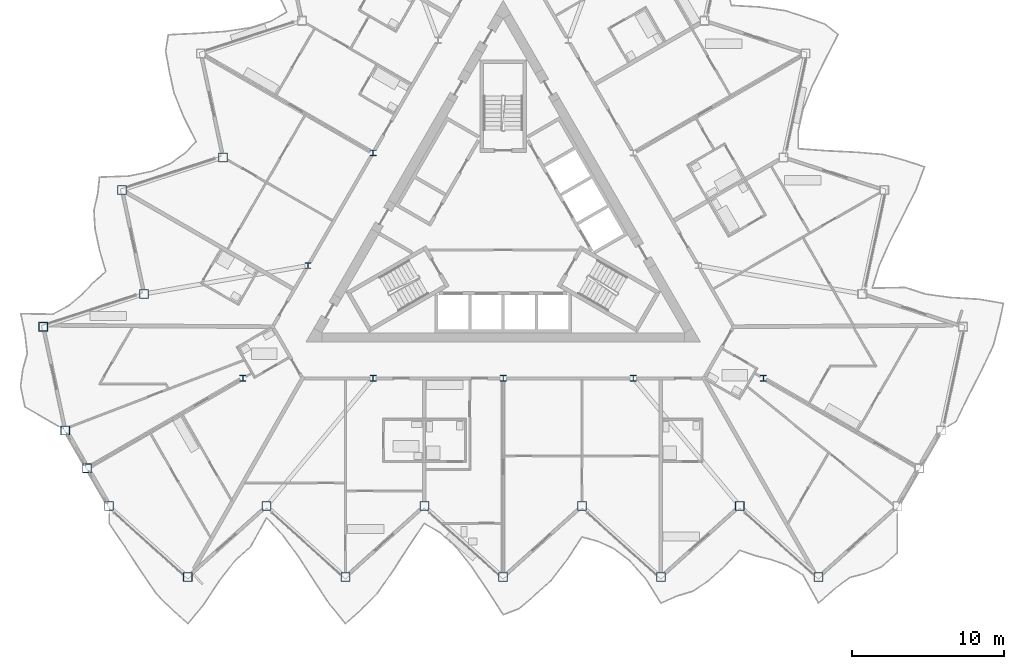
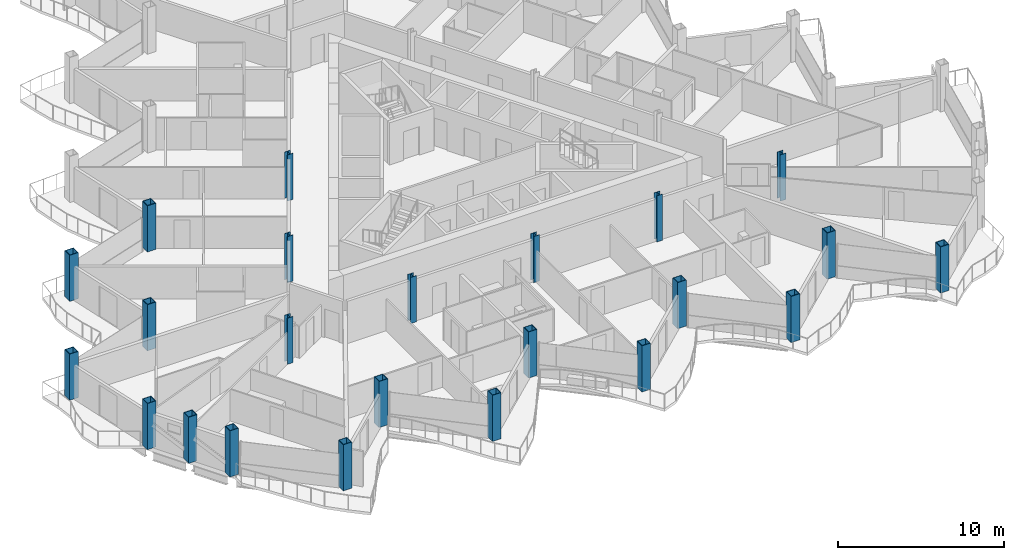
# One storey, part 1 of 26: 23 columns.
"""IFC4 building model written with IfcOpenShell, lengths in metres."""

from ifc_helpers import new_model, si_unit, direction, frame, origin, origin_2d, place, context, subcontext, project, spatial, hollow_rectangle, i_section, extrude, material, material_profile, profile_set, type_object, element, save


model = new_model("IFC4")

# Units and contexts
model_context = context("Model", 3, precision=1e-05, world=origin(), true_north=direction((0.0, 1.0)))
body_context = subcontext(model_context, "Body", "Model", "MODEL_VIEW")
ifc_project = project(units=[si_unit("LENGTHUNIT", "METRE"), si_unit("AREAUNIT", "SQUARE_METRE"), si_unit("VOLUMEUNIT", "CUBIC_METRE"), si_unit("PLANEANGLEUNIT", "RADIAN"), si_unit("MASSUNIT", "GRAM", prefix="KILO")], contexts=[model_context])

# Site, building, storey
site_placement = place(None, origin())
site = spatial("IfcSite", under=ifc_project, at=site_placement, CompositionType="ELEMENT")
building_placement = place(site_placement, origin())
building = spatial("IfcBuilding", under=site, at=building_placement, Name="Cormorant Prow Tower", CompositionType="ELEMENT")
storey_placement = place(building_placement, frame((0.0, 0.0, 342.60009765625)))
storey = spatial("IfcBuildingStorey", under=building, at=storey_placement, Name="L77", CompositionType="ELEMENT", Elevation=342.60009765625)

# Columns
ifc_material_1 = material(Name="Structural steel ASTM A572 Gr 50", Category="steel")
ifc_material_profile_1 = material_profile(ifc_material_1, hollow_rectangle(XDim=0.60009765625, YDim=0.60009765625, WallThickness=0.0400390625, at=origin_2d()), Name="Box 600x600x40")
ifc_profile_set_1 = profile_set([ifc_material_profile_1], Name="Structural steel ASTM A572 Gr 50")
column_type_1 = type_object("IfcColumnType", Name="Perimeter box column 600x600x40", PredefinedType="COLUMN", material=ifc_profile_set_1)
for number, where, z_axis, x_axis, name in (
    (1, (-25.995361328125, -18.326904296875, 0.0), (0.0, 0.0, 1.0), (1.0, 0.0, 0.0), "Perimeter column C6 at S00 L77"),
    (2, (-20.79638671875, -23.008056640625, 0.0), (0.0, 0.0, 1.0), (1.0, 0.0, 0.0), "Perimeter column C6 at S01 L77"),
    (3, (-15.59716796875, -18.326904296875, 0.0), (0.0, 0.0, 1.0), (1.0, 0.0, 0.0), "Perimeter column C6 at S02 L77"),
    (4, (-10.398193359375, -23.008056640625, 0.0), (0.0, 0.0, 1.0), (1.0, 0.0, 0.0), "Perimeter column C6 at S03 L77"),
    (5, (-5.198974609375, -18.326904296875, 0.0), (0.0, 0.0, 1.0), (1.0, 0.0, 0.0), "Perimeter column C6 at S04 L77"),
    (6, (0.0, -23.008056640625, 0.0), (0.0, 0.0, 1.0), (1.0, 0.0, 0.0), "Perimeter column C6 at S05 L77"),
    (7, (5.198974609375, -18.326904296875, 0.0), (0.0, 0.0, 1.0), (1.0, 0.0, 0.0), "Perimeter column C6 at S06 L77"),
    (8, (10.398193359375, -23.008056640625, 0.0), (0.0, 0.0, 1.0), (1.0, 0.0, 0.0), "Perimeter column C6 at S07 L77"),
    (9, (15.59716796875, -18.326904296875, 0.0), (0.0, 0.0, 1.0), (1.0, 0.0, 0.0), "Perimeter column C6 at S08 L77"),
    (10, (20.79638671875, -23.008056640625, 0.0), (0.0, 0.0, 1.0), (1.0, 0.0, 0.0), "Perimeter column C6 at S09 L77"),
    (11, (-18.470947265625, 4.660888671875, 0.0), (0.0, 0.0, 1.0), (1.0, 0.0, 0.0), "Perimeter column C6 at WNW06 L77"),
    (12, (-25.124755859375, 2.4990234375, 0.0), (0.0, 0.0, 1.0), (1.0, 0.0, 0.0), "Perimeter column C6 at WNW07 L77"),
    (13, (-23.670166015625, -4.34423828125, 0.0), (0.0, 0.0, 1.0), (1.0, 0.0, 0.0), "Perimeter column C6 at WNW08 L77"),
    (14, (-30.32373046875, -6.506103515625, 0.0), (0.0, 0.0, 1.0), (1.0, 0.0, 0.0), "Perimeter column C6 at WNW09 L77"),
    (15, (-28.869140625, -13.349365234375, 0.0), (0.0, 0.0, 1.0), (1.0, 0.0, 0.0), "Perimeter column C6 at WSW00 L77"),
    (16, (-27.432373046875, -15.838134765625, 0.0), (0.0, 0.0, 1.0), (1.0, 0.0, 0.0), "Perimeter column C6 at WSW01 L77"),
):
    element("IfcColumn", number, at=place(storey_placement, frame(where, z_axis=z_axis, x_axis=x_axis)), inside=storey, type_object=column_type_1, Name=name, PredefinedType="COLUMN", context=body_context, shape_type="SweptSolid", body=[
        extrude(hollow_rectangle(XDim=0.60009765625, YDim=0.60009765625, WallThickness=0.0400390625, at=origin_2d()), origin(), (0.0, 0.0, 1.0), 3.39990234375),
    ])
ifc_material_2 = material(Name="Structural steel ASTM A992 Gr 50", Category="steel")
ifc_material_profile_2 = material_profile(ifc_material_2, i_section(OverallWidth=0.3955078125, OverallDepth=0.380615234375, WebThickness=0.018798828125, FlangeThickness=0.0302734375, at=origin_2d()), Name="W14x159")
ifc_profile_set_2 = profile_set([ifc_material_profile_2], Name="Structural steel ASTM A992 Gr 50")
column_type_2 = type_object("IfcColumnType", Name="Ring column W14x159", PredefinedType="COLUMN", material=ifc_profile_set_2)
for number, where, z_axis, x_axis, name in (
    (17, (-8.578369140625, 4.952880859375, 0.0), (0.0, 0.0, 1.0), (1.0, 0.0, 0.0), "Ring column 3 L77"),
    (18, (-12.86767578125, -2.476318359375, 0.0), (0.0, 0.0, 1.0), (1.0, 0.0, 0.0), "Ring column 4 L77"),
    (19, (-17.156982421875, -9.905517578125, 0.0), (0.0, 0.0, 1.0), (1.0, 0.0, 0.0), "Ring column 5 L77"),
    (20, (-8.578369140625, -9.905517578125, 0.0), (0.0, 0.0, 1.0), (1.0, 0.0, 0.0), "Ring column 6 L77"),
    (21, (0.0, -9.905517578125, 0.0), (0.0, 0.0, 1.0), (1.0, 0.0, 0.0), "Ring column 7 L77"),
    (22, (8.578369140625, -9.905517578125, 0.0), (0.0, 0.0, 1.0), (1.0, 0.0, 0.0), "Ring column 8 L77"),
    (23, (17.156982421875, -9.905517578125, 0.0), (0.0, 0.0, 1.0), (1.0, 0.0, 0.0), "Ring column 9 L77"),
):
    element("IfcColumn", number, at=place(storey_placement, frame(where, z_axis=z_axis, x_axis=x_axis)), inside=storey, type_object=column_type_2, Name=name, PredefinedType="COLUMN", context=body_context, shape_type="SweptSolid", body=[
        extrude(i_section(OverallWidth=0.3955078125, OverallDepth=0.380615234375, WebThickness=0.018798828125, FlangeThickness=0.0302734375, at=origin_2d()), origin(), (0.0, 0.0, 1.0), 3.39990234375),
    ])

save(model, "model.ifc")
